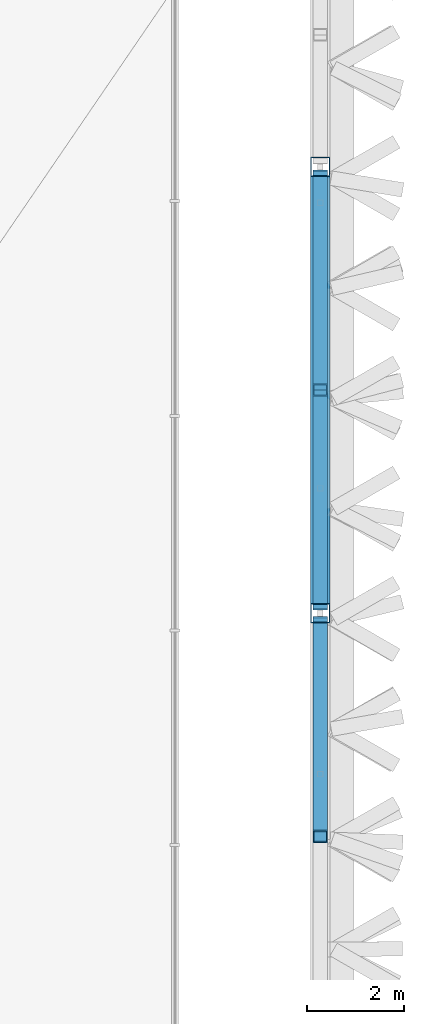
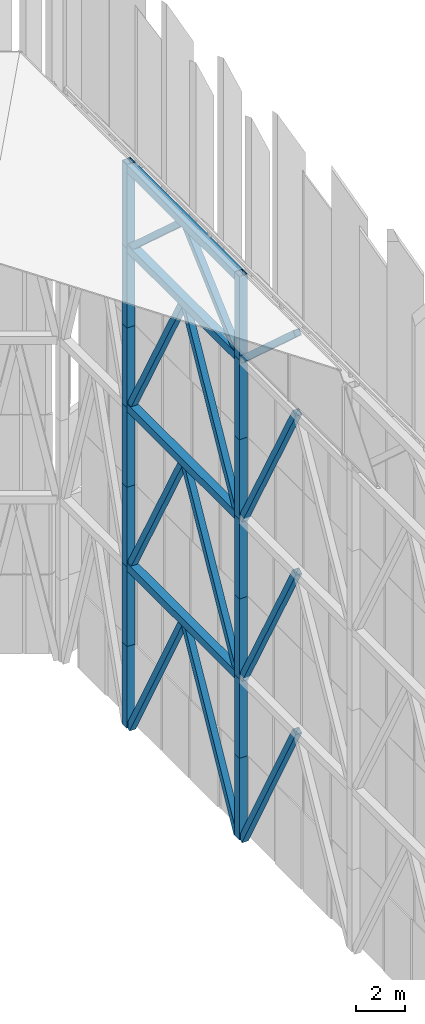
# One storey, part 15 of 45: 30 members.
"""IFC4 building model written with IfcOpenShell, lengths in metres."""

from ifc_helpers import new_model, si_unit, direction, frame, origin, origin_2d, place, context, subcontext, project, spatial, hollow_rectangle, extrude, material, material_profile, profile_set, type_object, element, save


model = new_model("IFC4")

# Units and contexts
model_context = context("Model", 3, precision=1e-05, world=origin(), true_north=direction((0.0, 1.0)))
body_context = subcontext(model_context, "Body", "Model", "MODEL_VIEW")
ifc_project = project(units=[si_unit("LENGTHUNIT", "METRE"), si_unit("AREAUNIT", "SQUARE_METRE"), si_unit("VOLUMEUNIT", "CUBIC_METRE"), si_unit("PLANEANGLEUNIT", "RADIAN"), si_unit("MASSUNIT", "GRAM", prefix="KILO")], contexts=[model_context])

# Site, building, storey
site_placement = place(None, origin())
site = spatial("IfcSite", under=ifc_project, at=site_placement, CompositionType="ELEMENT")
building_placement = place(site_placement, origin())
building = spatial("IfcBuilding", under=site, at=building_placement, Name="Jabali Bay Hotel Tower and Convention Centre", CompositionType="ELEMENT")
storey_placement = place(building_placement, frame((0.0, 0.0, 322.39990234375)))
storey = spatial("IfcBuildingStorey", under=building, at=storey_placement, Name="Crown", CompositionType="ELEMENT", Elevation=322.39990234375)

# Members
ifc_material = material(Name="Steel Q420GJC", Category="steel")
ifc_material_profile_1 = material_profile(ifc_material, hollow_rectangle(XDim=0.300048828125, YDim=0.300048828125, WallThickness=0.01611328125, at=origin_2d()), Name="Crown frame brace 300x300x16")
ifc_profile_set_1 = profile_set([ifc_material_profile_1], Name="Steel Q420GJC")
member_type_1 = type_object("IfcMemberType", Name="Crown frame brace 300x300x16", PredefinedType="USERDEFINED", material=ifc_profile_set_1)
for number, where, z_axis, x_axis, name in (
    (1, (93.148681640625, 89.022705078125, -0.099853515625), (0.0, -0.479593962396, 0.877490530566), (1.0, 0.0, 0.0), "Crown brace 1 F0.3-F0.4r"),
    (2, (93.148681640625, 89.4228515625, -0.099853515625), (0.0, 0.479593962396, 0.877490530566), (-1.0, 0.0, 0.0), "Crown brace 1 F0.4-F0.5l"),
    (3, (93.148681640625, 98.24560546875, -0.099853515625), (0.0, -0.479593962396, 0.877490530566), (1.0, 0.0, 0.0), "Crown brace 1 F0.4-F0.5r"),
):
    element("IfcMember", number, at=place(storey_placement, frame(where, z_axis=z_axis, x_axis=x_axis)), inside=storey, type_object=member_type_1, Name=name, ObjectType="CROWN FRAME", PredefinedType="USERDEFINED", context=body_context, shape_type="SweptSolid", body=[
        extrude(hollow_rectangle(XDim=0.300048828125, YDim=0.300048828125, WallThickness=0.01611328125, at=origin_2d()), origin(), (0.0, 0.0, 1.0), 9.1982421875),
    ])
for number, where, z_axis, x_axis, name in (
    (4, (93.148681640625, 89.022705078125, 7.971435546875), (0.0, -0.484199768174, 0.874957475824), (1.0, 0.0, 0.0), "Crown brace 2 F0.3-F0.4r"),
    (5, (93.148681640625, 89.4228515625, 7.971435546875), (0.0, 0.484199768174, 0.874957475824), (-1.0, 0.0, 0.0), "Crown brace 2 F0.4-F0.5l"),
    (6, (93.148681640625, 98.24560546875, 7.971435546875), (0.0, -0.484199768174, 0.874957475824), (1.0, 0.0, 0.0), "Crown brace 2 F0.4-F0.5r"),
    (7, (93.148681640625, 89.022705078125, 15.94287109375), (0.0, -0.484199768174, 0.874957475824), (1.0, 0.0, 0.0), "Crown brace 3 F0.3-F0.4r"),
    (8, (93.148681640625, 89.4228515625, 15.94287109375), (0.0, 0.484199768174, 0.874957475824), (-1.0, 0.0, 0.0), "Crown brace 3 F0.4-F0.5l"),
    (9, (93.148681640625, 98.24560546875, 15.94287109375), (0.0, -0.484199768174, 0.874957475824), (1.0, 0.0, 0.0), "Crown brace 3 F0.4-F0.5r"),
):
    element("IfcMember", number, at=place(storey_placement, frame(where, z_axis=z_axis, x_axis=x_axis)), inside=storey, type_object=member_type_1, Name=name, ObjectType="CROWN FRAME", PredefinedType="USERDEFINED", context=body_context, shape_type="SweptSolid", body=[
        extrude(hollow_rectangle(XDim=0.300048828125, YDim=0.300048828125, WallThickness=0.01611328125, at=origin_2d()), origin(), (0.0, 0.0, 1.0), 9.110595703125),
    ])
for number, where, z_axis, x_axis, name in (
    (10, (93.148681640625, 89.022705078125, 23.914306640625), (0.0, -0.741987981752, 0.670413182251), (1.0, 0.0, 0.0), "Crown brace 4 F0.3-F0.4r"),
    (11, (93.148681640625, 89.4228515625, 23.914306640625), (0.0, 0.741987981752, 0.670413182251), (-1.0, 0.0, 0.0), "Crown brace 4 F0.4-F0.5l"),
    (12, (93.148681640625, 98.24560546875, 23.914306640625), (0.0, -0.741987981752, 0.670413182251), (1.0, 0.0, 0.0), "Crown brace 4 F0.4-F0.5r"),
):
    element("IfcMember", number, at=place(storey_placement, frame(where, z_axis=z_axis, x_axis=x_axis)), inside=storey, type_object=member_type_1, Name=name, ObjectType="CROWN FRAME", PredefinedType="USERDEFINED", context=body_context, shape_type="SweptSolid", body=[
        extrude(hollow_rectangle(XDim=0.300048828125, YDim=0.300048828125, WallThickness=0.01611328125, at=origin_2d()), origin(), (0.0, 0.0, 1.0), 5.9453125),
    ])
ifc_material_profile_2 = material_profile(ifc_material, hollow_rectangle(XDim=0.39990234375, YDim=0.39990234375, WallThickness=0.02001953125, at=origin_2d()), Name="Crown frame member 400x400x20")
ifc_profile_set_2 = profile_set([ifc_material_profile_2], Name="Steel Q420GJC")
member_type_2 = type_object("IfcMemberType", Name="Crown frame member 400x400x20", PredefinedType="USERDEFINED", material=ifc_profile_set_2)
for number, where, z_axis, x_axis, name in (
    (13, (93.148681640625, 89.22265625, -0.099853515625), (0.0, 0.0, 1.0), (1.0, 0.0, 0.0), "Crown post F0.4 1"),
    (14, (93.148681640625, 98.445556640625, -0.099853515625), (0.0, 0.0, 1.0), (1.0, 0.0, 0.0), "Crown post F0.5 1"),
):
    element("IfcMember", number, at=place(storey_placement, frame(where, z_axis=z_axis, x_axis=x_axis)), inside=storey, type_object=member_type_2, Name=name, ObjectType="CROWN FRAME", PredefinedType="USERDEFINED", context=body_context, shape_type="SweptSolid", body=[
        extrude(hollow_rectangle(XDim=0.39990234375, YDim=0.39990234375, WallThickness=0.02001953125, at=origin_2d()), origin(), (0.0, 0.0, 1.0), 4.085693359375),
    ])
for number, where, z_axis, x_axis, name in (
    (15, (93.148681640625, 89.22265625, 3.98583984375), (0.0, 0.0, 1.0), (1.0, 0.0, 0.0), "Crown post F0.4 2"),
    (16, (93.148681640625, 98.445556640625, 3.98583984375), (0.0, 0.0, 1.0), (1.0, 0.0, 0.0), "Crown post F0.5 2"),
):
    element("IfcMember", number, at=place(storey_placement, frame(where, z_axis=z_axis, x_axis=x_axis)), inside=storey, type_object=member_type_2, Name=name, ObjectType="CROWN FRAME", PredefinedType="USERDEFINED", context=body_context, shape_type="SweptSolid", body=[
        extrude(hollow_rectangle(XDim=0.39990234375, YDim=0.39990234375, WallThickness=0.02001953125, at=origin_2d()), origin(), (0.0, 0.0, 1.0), 3.985595703125),
    ])
for number, where, z_axis, x_axis, name in (
    (17, (93.148681640625, 89.22265625, 7.971435546875), (0.0, 0.0, 1.0), (1.0, 0.0, 0.0), "Crown post F0.4 3"),
    (18, (93.148681640625, 98.445556640625, 7.971435546875), (0.0, 0.0, 1.0), (1.0, 0.0, 0.0), "Crown post F0.5 3"),
):
    element("IfcMember", number, at=place(storey_placement, frame(where, z_axis=z_axis, x_axis=x_axis)), inside=storey, type_object=member_type_2, Name=name, ObjectType="CROWN FRAME", PredefinedType="USERDEFINED", context=body_context, shape_type="SweptSolid", body=[
        extrude(hollow_rectangle(XDim=0.39990234375, YDim=0.39990234375, WallThickness=0.02001953125, at=origin_2d()), origin(), (0.0, 0.0, 1.0), 3.98583984375),
    ])
for number, where, z_axis, x_axis, name in (
    (19, (93.148681640625, 89.22265625, 11.957275390625), (0.0, 0.0, 1.0), (1.0, 0.0, 0.0), "Crown post F0.4 4"),
    (20, (93.148681640625, 98.445556640625, 11.957275390625), (0.0, 0.0, 1.0), (1.0, 0.0, 0.0), "Crown post F0.5 4"),
):
    element("IfcMember", number, at=place(storey_placement, frame(where, z_axis=z_axis, x_axis=x_axis)), inside=storey, type_object=member_type_2, Name=name, ObjectType="CROWN FRAME", PredefinedType="USERDEFINED", context=body_context, shape_type="SweptSolid", body=[
        extrude(hollow_rectangle(XDim=0.39990234375, YDim=0.39990234375, WallThickness=0.02001953125, at=origin_2d()), origin(), (0.0, 0.0, 1.0), 3.985595703125),
    ])
for number, where, z_axis, x_axis, name in (
    (21, (93.148681640625, 89.22265625, 15.94287109375), (0.0, 0.0, 1.0), (1.0, 0.0, 0.0), "Crown post F0.4 5"),
    (22, (93.148681640625, 98.445556640625, 15.94287109375), (0.0, 0.0, 1.0), (1.0, 0.0, 0.0), "Crown post F0.5 5"),
):
    element("IfcMember", number, at=place(storey_placement, frame(where, z_axis=z_axis, x_axis=x_axis)), inside=storey, type_object=member_type_2, Name=name, ObjectType="CROWN FRAME", PredefinedType="USERDEFINED", context=body_context, shape_type="SweptSolid", body=[
        extrude(hollow_rectangle(XDim=0.39990234375, YDim=0.39990234375, WallThickness=0.02001953125, at=origin_2d()), origin(), (0.0, 0.0, 1.0), 3.98583984375),
    ])
for number, where, z_axis, x_axis, name in (
    (23, (93.148681640625, 89.22265625, 19.9287109375), (0.0, 0.0, 1.0), (1.0, 0.0, 0.0), "Crown post F0.4 6"),
    (24, (93.148681640625, 98.445556640625, 19.9287109375), (0.0, 0.0, 1.0), (1.0, 0.0, 0.0), "Crown post F0.5 6"),
):
    element("IfcMember", number, at=place(storey_placement, frame(where, z_axis=z_axis, x_axis=x_axis)), inside=storey, type_object=member_type_2, Name=name, ObjectType="CROWN FRAME", PredefinedType="USERDEFINED", context=body_context, shape_type="SweptSolid", body=[
        extrude(hollow_rectangle(XDim=0.39990234375, YDim=0.39990234375, WallThickness=0.02001953125, at=origin_2d()), origin(), (0.0, 0.0, 1.0), 3.985595703125),
    ])
for number, where, z_axis, x_axis, name in (
    (25, (93.148681640625, 89.22265625, 23.914306640625), (0.0, 0.0, 1.0), (1.0, 0.0, 0.0), "Crown post F0.4 7"),
    (26, (93.148681640625, 98.445556640625, 23.914306640625), (0.0, 0.0, 1.0), (1.0, 0.0, 0.0), "Crown post F0.5 7"),
):
    element("IfcMember", number, at=place(storey_placement, frame(where, z_axis=z_axis, x_axis=x_axis)), inside=storey, type_object=member_type_2, Name=name, ObjectType="CROWN FRAME", PredefinedType="USERDEFINED", context=body_context, shape_type="SweptSolid", body=[
        extrude(hollow_rectangle(XDim=0.39990234375, YDim=0.39990234375, WallThickness=0.02001953125, at=origin_2d()), origin(), (0.0, 0.0, 1.0), 4.185791015625),
    ])
for number, where, z_axis, x_axis, name in (
    (27, (93.148681640625, 89.4228515625, 7.971435546875), (0.0, 1.0, 0.0), (-1.0, 0.0, 0.0), "Crown ring 330.371 F0.4-F0.5"),
    (28, (93.148681640625, 89.4228515625, 15.94287109375), (0.0, 1.0, 0.0), (-1.0, 0.0, 0.0), "Crown ring 338.343 F0.4-F0.5"),
    (29, (93.148681640625, 89.4228515625, 23.914306640625), (0.0, 1.0, 0.0), (-1.0, 0.0, 0.0), "Crown ring 346.314 F0.4-F0.5"),
    (30, (93.148681640625, 89.4228515625, 27.900146484375), (0.0, 1.0, 0.0), (-1.0, 0.0, 0.0), "Crown ring 350.3 F0.4-F0.5"),
):
    element("IfcMember", number, at=place(storey_placement, frame(where, z_axis=z_axis, x_axis=x_axis)), inside=storey, type_object=member_type_2, Name=name, ObjectType="CROWN FRAME", PredefinedType="USERDEFINED", context=body_context, shape_type="SweptSolid", body=[
        extrude(hollow_rectangle(XDim=0.39990234375, YDim=0.39990234375, WallThickness=0.02001953125, at=origin_2d()), origin(), (0.0, 0.0, 1.0), 8.82275390625),
    ])

save(model, "model.ifc")
